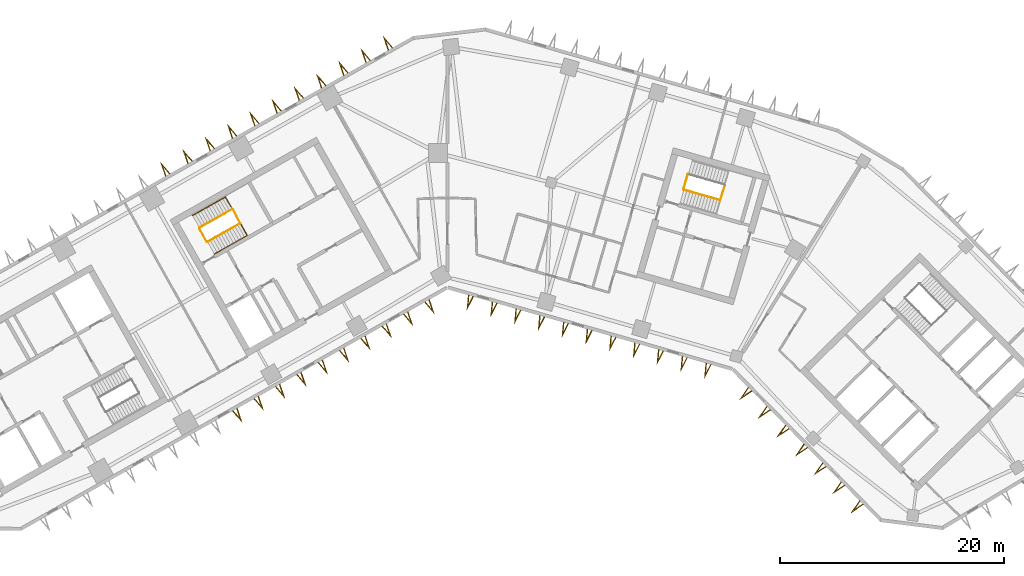
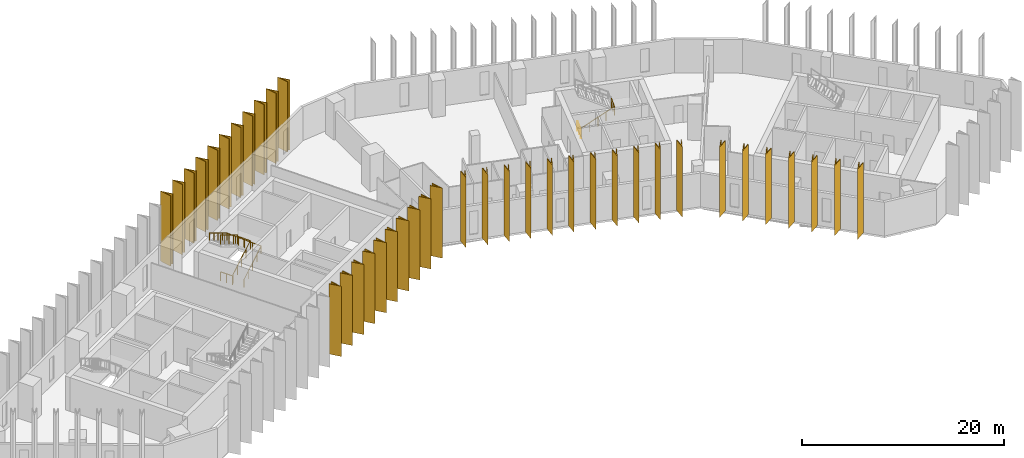
# One storey, part 10 of 11: 39 shading devices, 6 railings.
"""IFC4 building model written with IfcOpenShell, lengths in metres."""

from ifc_helpers import new_model, si_unit, direction, frame, origin, origin_2d, place, context, subcontext, project, spatial, polyline, circle, outline, extrude, material, type_object, element, save


model = new_model("IFC4")

# Units and contexts
model_context = context("Model", 3, precision=1e-05, world=origin(), true_north=direction((0.0, 1.0)))
body_context = subcontext(model_context, "Body", "Model", "MODEL_VIEW")
ifc_project = project(units=[si_unit("LENGTHUNIT", "METRE"), si_unit("AREAUNIT", "SQUARE_METRE"), si_unit("VOLUMEUNIT", "CUBIC_METRE"), si_unit("PLANEANGLEUNIT", "RADIAN"), si_unit("MASSUNIT", "GRAM", prefix="KILO")], contexts=[model_context])

# Site, building, storey
site_placement = place(None, origin())
site = spatial("IfcSite", under=ifc_project, at=site_placement, CompositionType="ELEMENT")
building_placement = place(site_placement, origin())
building = spatial("IfcBuilding", under=site, at=building_placement, Name="Binnacle Exchange Tower", CompositionType="ELEMENT")
storey_placement = place(building_placement, frame((0.0, 0.0, 105.89990234375)))
storey = spatial("IfcBuildingStorey", under=building, at=storey_placement, Name="L21", CompositionType="ELEMENT", Elevation=105.89990234375)

# Railings
ifc_material_1 = material(Name="Steel guard rail", Category="steel")
railing_type_1 = type_object("IfcRailingType", Name="STAIR GUARD 1100", PredefinedType="GUARDRAIL", material=ifc_material_1)
railing_1_placement = place(storey_placement, frame((-21.423828125, 52.07275390625, 0.16943359375)))
element("IfcRailing", 1, at=railing_1_placement, inside=storey, type_object=railing_type_1, Name="L21 STC1 stair guard 1", PredefinedType="GUARDRAIL", context=body_context, shape_type="SweptSolid", body=[
    extrude(circle(Radius=0.02392578125, at=origin_2d()), frame((0.0, 0.0, 1.076171875), z_axis=(0.744895141965, 0.421417011194, 0.517241655469), x_axis=(-0.49240197835, 0.870367905955, 0.0)), (0.0, 0.0, 1.0), 3.926025390625),
    extrude(circle(Radius=0.02392578125, at=origin_2d()), frame((2.924560546875, 1.654541015625, 3.10693359375), z_axis=(-0.461171632143, 0.887310952094, 0.0), x_axis=(-0.887310952094, -0.461171632143, 0.0)), (0.0, 0.0, 1.0), 1.40087890625),
    extrude(circle(Radius=0.02099609375, at=origin_2d()), origin(), (0.0, 0.0, 1.0), 1.052001953125),
    extrude(circle(Radius=0.02099609375, at=origin_2d()), frame((0.731201171875, 0.41357421875, 0.5078125)), (0.0, 0.0, 1.0), 1.052001953125),
    extrude(circle(Radius=0.02099609375, at=origin_2d()), frame((1.46240234375, 0.8271484375, 1.015380859375)), (0.0, 0.0, 1.0), 1.052001953125),
    extrude(circle(Radius=0.02099609375, at=origin_2d()), frame((2.193359375, 1.240966796875, 1.52294921875)), (0.0, 0.0, 1.0), 1.052001953125),
    extrude(circle(Radius=0.02099609375, at=origin_2d()), frame((2.924560546875, 1.654541015625, 2.03076171875)), (0.0, 0.0, 1.0), 1.052001953125),
    extrude(circle(Radius=0.02099609375, at=origin_2d()), frame((2.6015625, 2.27587890625, 2.03076171875)), (0.0, 0.0, 1.0), 1.052001953125),
    extrude(circle(Radius=0.02099609375, at=origin_2d()), frame((2.278564453125, 2.8974609375, 2.03076171875)), (0.0, 0.0, 1.0), 1.052001953125),
])
railing_2_placement = place(storey_placement, frame((-19.21337890625, 54.9892578125, 2.369384765625)))
element("IfcRailing", 2, at=railing_2_placement, inside=storey, type_object=railing_type_1, Name="L21 STC1 stair guard 2", PredefinedType="GUARDRAIL", context=body_context, shape_type="SweptSolid", body=[
    extrude(circle(Radius=0.02392578125, at=origin_2d()), frame((0.0, 0.0, 1.076171875), z_axis=(-0.744867460262, -0.421436531824, 0.517265614832), x_axis=(0.492433119026, -0.870350287693, 0.0)), (0.0, 0.0, 1.0), 3.926025390625),
    extrude(circle(Radius=0.02099609375, at=origin_2d()), origin(), (0.0, 0.0, 1.0), 1.052001953125),
    extrude(circle(Radius=0.02099609375, at=origin_2d()), frame((-0.73095703125, -0.41357421875, 0.5078125)), (0.0, 0.0, 1.0), 1.052001953125),
    extrude(circle(Radius=0.02099609375, at=origin_2d()), frame((-1.462158203125, -0.8271484375, 1.015380859375)), (0.0, 0.0, 1.0), 1.052001953125),
    extrude(circle(Radius=0.02099609375, at=origin_2d()), frame((-2.193359375, -1.240966796875, 1.52294921875)), (0.0, 0.0, 1.0), 1.052001953125),
    extrude(circle(Radius=0.02099609375, at=origin_2d()), frame((-2.92431640625, -1.654541015625, 2.03076171875)), (0.0, 0.0, 1.0), 1.052001953125),
])
railing_3_placement = place(storey_placement, frame((-21.491943359375, 52.091552734375, 0.0)))
element("IfcRailing", 3, at=railing_3_placement, inside=storey, type_object=railing_type_1, Name="L21 STC1 stair guard 3", PredefinedType="GUARDRAIL", context=body_context, shape_type="SweptSolid", body=[
    extrude(circle(Radius=0.02392578125, at=origin_2d()), frame((0.0, 0.0, 1.076171875), z_axis=(-0.49241474071, 0.870360685654, 0.0), x_axis=(-0.870360685654, -0.49241474071, 0.0)), (0.0, 0.0, 1.0), 1.35009765625),
    extrude(circle(Radius=0.02099609375, at=origin_2d()), origin(), (0.0, 0.0, 1.0), 1.052001953125),
    extrude(circle(Radius=0.02099609375, at=origin_2d()), frame((-0.33251953125, 0.58740234375, 0.0)), (0.0, 0.0, 1.0), 1.052001953125),
    extrude(circle(Radius=0.02099609375, at=origin_2d()), frame((-0.664794921875, 1.175048828125, 0.0)), (0.0, 0.0, 1.0), 1.052001953125),
])
railing_4_placement = place(storey_placement, frame((21.086669921875, 56.71044921875, 0.16943359375)))
element("IfcRailing", 4, at=railing_4_placement, inside=storey, type_object=railing_type_1, Name="L21 STD1 stair guard 1", PredefinedType="GUARDRAIL", context=body_context, shape_type="SweptSolid", body=[
    extrude(circle(Radius=0.02392578125, at=origin_2d()), frame((0.0, 0.0, 1.076171875), z_axis=(0.82266146106, -0.235934506256, 0.517264950721), x_axis=(0.27568068152, 0.961249271436, 0.0)), (0.0, 0.0, 1.0), 3.926025390625),
    extrude(circle(Radius=0.02392578125, at=origin_2d()), frame((3.229736328125, -0.92626953125, 3.10693359375), z_axis=(0.309842533299, 0.950787886208, 0.0), x_axis=(-0.950787886208, 0.309842533299, 0.0)), (0.0, 0.0, 1.0), 1.40087890625),
    extrude(circle(Radius=0.02099609375, at=origin_2d()), origin(), (0.0, 0.0, 1.0), 1.052001953125),
    extrude(circle(Radius=0.02099609375, at=origin_2d()), frame((0.807373046875, -0.2314453125, 0.5078125)), (0.0, 0.0, 1.0), 1.052001953125),
    extrude(circle(Radius=0.02099609375, at=origin_2d()), frame((1.61474609375, -0.463134765625, 1.015380859375)), (0.0, 0.0, 1.0), 1.052001953125),
    extrude(circle(Radius=0.02099609375, at=origin_2d()), frame((2.42236328125, -0.69482421875, 1.52294921875)), (0.0, 0.0, 1.0), 1.052001953125),
    extrude(circle(Radius=0.02099609375, at=origin_2d()), frame((3.229736328125, -0.92626953125, 2.03076171875)), (0.0, 0.0, 1.0), 1.052001953125),
    extrude(circle(Radius=0.02099609375, at=origin_2d()), frame((3.44677734375, -0.26025390625, 2.03076171875)), (0.0, 0.0, 1.0), 1.052001953125),
    extrude(circle(Radius=0.02099609375, at=origin_2d()), frame((3.663818359375, 0.40576171875, 2.03076171875)), (0.0, 0.0, 1.0), 1.052001953125),
])
railing_5_placement = place(storey_placement, frame((21.05224609375, 56.772216796875, 0.0)))
element("IfcRailing", 5, at=railing_5_placement, inside=storey, type_object=railing_type_1, Name="L21 STD1 stair guard 3", PredefinedType="GUARDRAIL", context=body_context, shape_type="SweptSolid", body=[
    extrude(circle(Radius=0.02392578125, at=origin_2d()), frame((0.0, 0.0, 1.076171875), z_axis=(0.275795817769, 0.961216243569, 0.0), x_axis=(-0.961216243569, 0.275795817769, 0.0)), (0.0, 0.0, 1.0), 1.349853515625),
    extrude(circle(Radius=0.02099609375, at=origin_2d()), origin(), (0.0, 0.0, 1.0), 1.052001953125),
    extrude(circle(Radius=0.02099609375, at=origin_2d()), frame((0.18603515625, 0.64892578125, 0.0)), (0.0, 0.0, 1.0), 1.052001953125),
    extrude(circle(Radius=0.02099609375, at=origin_2d()), frame((0.372314453125, 1.297607421875, 0.0)), (0.0, 0.0, 1.0), 1.052001953125),
])
ifc_material_2 = material(Name="Steel handrail", Category="steel")
railing_type_2 = type_object("IfcRailingType", Name="STAIR HANDRAIL 900", PredefinedType="HANDRAIL", material=ifc_material_2)
railing_6_placement = place(storey_placement, frame((-20.808349609375, 50.984619140625, 0.16943359375)))
element("IfcRailing", 6, at=railing_6_placement, inside=storey, type_object=railing_type_2, Name="L21 STC1 stair handrail 1", PredefinedType="HANDRAIL", context=body_context, shape_type="SweptSolid", body=[
    extrude(circle(Radius=0.02392578125, at=origin_2d()), frame((0.0, 0.0, 0.8759765625), z_axis=(0.744895141965, 0.421417011194, 0.517241655469), x_axis=(-0.49240197835, 0.870367905955, 0.0)), (0.0, 0.0, 1.0), 3.926025390625),
    extrude(circle(Radius=0.02392578125, at=origin_2d()), frame((2.924560546875, 1.654541015625, 2.90673828125), z_axis=(-0.491962556146, 0.869564041126, 0.04279277663), x_axis=(-0.870361318571, -0.492413622004, 0.0)), (0.0, 0.0, 1.0), 3.95361328125),
    extrude(circle(Radius=0.02392578125, at=origin_2d()), frame((0.9794921875, 5.092529296875, 3.07568359375), z_axis=(-0.744895141965, -0.421417011194, 0.517241655469), x_axis=(0.49240197835, -0.870367905955, 0.0)), (0.0, 0.0, 1.0), 3.926025390625),
    extrude(circle(Radius=0.02099609375, at=origin_2d()), origin(), (0.0, 0.0, 1.0), 0.851806640625),
    extrude(circle(Radius=0.02099609375, at=origin_2d()), frame((0.731201171875, 0.41357421875, 0.5078125)), (0.0, 0.0, 1.0), 0.851806640625),
    extrude(circle(Radius=0.02099609375, at=origin_2d()), frame((1.46240234375, 0.8271484375, 1.015380859375)), (0.0, 0.0, 1.0), 0.851806640625),
    extrude(circle(Radius=0.02099609375, at=origin_2d()), frame((2.193359375, 1.240966796875, 1.52294921875)), (0.0, 0.0, 1.0), 0.851806640625),
    extrude(circle(Radius=0.02099609375, at=origin_2d()), frame((2.924560546875, 1.654541015625, 2.03076171875)), (0.0, 0.0, 1.0), 0.851806640625),
    extrude(circle(Radius=0.02099609375, at=origin_2d()), frame((2.438232421875, 2.51416015625, 2.072998046875)), (0.0, 0.0, 1.0), 0.851806640625),
    extrude(circle(Radius=0.02099609375, at=origin_2d()), frame((1.9521484375, 3.37353515625, 2.115234375)), (0.0, 0.0, 1.0), 0.851806640625),
    extrude(circle(Radius=0.02099609375, at=origin_2d()), frame((1.4658203125, 4.23291015625, 2.15771484375)), (0.0, 0.0, 1.0), 0.851806640625),
    extrude(circle(Radius=0.02099609375, at=origin_2d()), frame((0.9794921875, 5.092529296875, 2.199951171875)), (0.0, 0.0, 1.0), 0.851806640625),
    extrude(circle(Radius=0.02099609375, at=origin_2d()), frame((0.248291015625, 4.678955078125, 2.70751953125)), (0.0, 0.0, 1.0), 0.851806640625),
    extrude(circle(Radius=0.02099609375, at=origin_2d()), frame((-0.48291015625, 4.26513671875, 3.21533203125)), (0.0, 0.0, 1.0), 0.851806640625),
    extrude(circle(Radius=0.02099609375, at=origin_2d()), frame((-1.2138671875, 3.8515625, 3.72314453125)), (0.0, 0.0, 1.0), 0.851806640625),
    extrude(circle(Radius=0.02099609375, at=origin_2d()), frame((-1.945068359375, 3.43798828125, 4.230712890625)), (0.0, 0.0, 1.0), 0.851806640625),
])

# Shading devices
ifc_material_3 = material(Name="Bronze aluminium cladding", Category="aluminium")
shading_device_type = type_object("IfcShadingDeviceType", Name="V FIN 1300 DEEP x 8480 HIGH", PredefinedType="USERDEFINED", material=ifc_material_3)
shading_device_1_placement = place(storey_placement, origin())
element("IfcShadingDevice", 7, at=shading_device_1_placement, inside=storey, type_object=shading_device_type, Name="V fin FN-F03-01 L21", ObjectType="FIN", PredefinedType="USERDEFINED", context=body_context, shape_type="SweptSolid", body=[
    extrude(outline(polyline([(-4.88916015625, 69.40625), (-5.746826171875, 70.41455078125), (-5.32421875, 69.159912109375), (-5.25341796875, 69.2001953125), (-5.5380859375, 70.0458984375), (-4.9599609375, 69.3662109375), (-4.88916015625, 69.40625)])), origin(), (0.0, 0.0, 1.0), 8.47998046875),
])
shading_device_2_placement = place(storey_placement, origin())
element("IfcShadingDevice", 8, at=shading_device_2_placement, inside=storey, type_object=shading_device_type, Name="V fin FN-F03-02 L21", ObjectType="FIN", PredefinedType="USERDEFINED", context=body_context, shape_type="SweptSolid", body=[
    extrude(outline(polyline([(-6.87548828125, 68.2822265625), (-7.7333984375, 69.290771484375), (-7.310791015625, 68.0361328125), (-7.239990234375, 68.076171875), (-7.524658203125, 68.922119140625), (-6.946533203125, 68.2421875), (-6.87548828125, 68.2822265625)])), origin(), (0.0, 0.0, 1.0), 8.47998046875),
])
shading_device_3_placement = place(storey_placement, origin())
element("IfcShadingDevice", 9, at=shading_device_3_placement, inside=storey, type_object=shading_device_type, Name="V fin FN-F03-03 L21", ObjectType="FIN", PredefinedType="USERDEFINED", context=body_context, shape_type="SweptSolid", body=[
    extrude(outline(polyline([(-8.862060546875, 67.158203125), (-9.719970703125, 68.166748046875), (-9.29736328125, 66.912109375), (-9.226318359375, 66.9521484375), (-9.51123046875, 67.798095703125), (-8.93310546875, 67.1181640625), (-8.862060546875, 67.158203125)])), origin(), (0.0, 0.0, 1.0), 8.47998046875),
])
shading_device_4_placement = place(storey_placement, origin())
element("IfcShadingDevice", 10, at=shading_device_4_placement, inside=storey, type_object=shading_device_type, Name="V fin FN-F03-04 L21", ObjectType="FIN", PredefinedType="USERDEFINED", context=body_context, shape_type="SweptSolid", body=[
    extrude(outline(polyline([(-10.8486328125, 66.034423828125), (-11.70654296875, 67.042724609375), (-11.283935546875, 65.7880859375), (-11.212890625, 65.828369140625), (-11.497802734375, 66.674072265625), (-10.919677734375, 65.994384765625), (-10.8486328125, 66.034423828125)])), origin(), (0.0, 0.0, 1.0), 8.47998046875),
])
shading_device_5_placement = place(storey_placement, origin())
element("IfcShadingDevice", 11, at=shading_device_5_placement, inside=storey, type_object=shading_device_type, Name="V fin FN-F03-05 L21", ObjectType="FIN", PredefinedType="USERDEFINED", context=body_context, shape_type="SweptSolid", body=[
    extrude(outline(polyline([(-12.835205078125, 64.910400390625), (-13.693115234375, 65.9189453125), (-13.2705078125, 64.664306640625), (-13.199462890625, 64.704345703125), (-13.484375, 65.55029296875), (-12.906005859375, 64.870361328125), (-12.835205078125, 64.910400390625)])), origin(), (0.0, 0.0, 1.0), 8.47998046875),
])
shading_device_6_placement = place(storey_placement, origin())
element("IfcShadingDevice", 12, at=shading_device_6_placement, inside=storey, type_object=shading_device_type, Name="V fin FN-F03-06 L21", ObjectType="FIN", PredefinedType="USERDEFINED", context=body_context, shape_type="SweptSolid", body=[
    extrude(outline(polyline([(-14.82177734375, 63.78662109375), (-15.6796875, 64.794921875), (-15.257080078125, 63.540283203125), (-15.18603515625, 63.580322265625), (-15.470947265625, 64.42626953125), (-14.892578125, 63.746337890625), (-14.82177734375, 63.78662109375)])), origin(), (0.0, 0.0, 1.0), 8.47998046875),
])
shading_device_7_placement = place(storey_placement, origin())
element("IfcShadingDevice", 13, at=shading_device_7_placement, inside=storey, type_object=shading_device_type, Name="V fin FN-F03-07 L21", ObjectType="FIN", PredefinedType="USERDEFINED", context=body_context, shape_type="SweptSolid", body=[
    extrude(outline(polyline([(-16.808349609375, 62.66259765625), (-17.666015625, 63.6708984375), (-17.243408203125, 62.41650390625), (-17.172607421875, 62.45654296875), (-17.45751953125, 63.30224609375), (-16.879150390625, 62.62255859375), (-16.808349609375, 62.66259765625)])), origin(), (0.0, 0.0, 1.0), 8.47998046875),
])
shading_device_8_placement = place(storey_placement, origin())
element("IfcShadingDevice", 14, at=shading_device_8_placement, inside=storey, type_object=shading_device_type, Name="V fin FN-F03-08 L21", ObjectType="FIN", PredefinedType="USERDEFINED", context=body_context, shape_type="SweptSolid", body=[
    extrude(outline(polyline([(-18.794921875, 61.53857421875), (-19.652587890625, 62.547119140625), (-19.22998046875, 61.29248046875), (-19.1591796875, 61.33251953125), (-19.444091796875, 62.17822265625), (-18.86572265625, 61.49853515625), (-18.794921875, 61.53857421875)])), origin(), (0.0, 0.0, 1.0), 8.47998046875),
])
shading_device_9_placement = place(storey_placement, origin())
element("IfcShadingDevice", 15, at=shading_device_9_placement, inside=storey, type_object=shading_device_type, Name="V fin FN-F03-09 L21", ObjectType="FIN", PredefinedType="USERDEFINED", context=body_context, shape_type="SweptSolid", body=[
    extrude(outline(polyline([(-20.781494140625, 60.414794921875), (-21.639404296875, 61.423095703125), (-21.216796875, 60.16845703125), (-21.145751953125, 60.20849609375), (-21.4306640625, 61.054443359375), (-20.852294921875, 60.37451171875), (-20.781494140625, 60.414794921875)])), origin(), (0.0, 0.0, 1.0), 8.47998046875),
])
shading_device_10_placement = place(storey_placement, origin())
element("IfcShadingDevice", 16, at=shading_device_10_placement, inside=storey, type_object=shading_device_type, Name="V fin FN-F03-10 L21", ObjectType="FIN", PredefinedType="USERDEFINED", context=body_context, shape_type="SweptSolid", body=[
    extrude(outline(polyline([(-22.76806640625, 59.290771484375), (-23.625732421875, 60.29931640625), (-23.203125, 59.044677734375), (-23.13232421875, 59.084716796875), (-23.4169921875, 59.930419921875), (-22.8388671875, 59.250732421875), (-22.76806640625, 59.290771484375)])), origin(), (0.0, 0.0, 1.0), 8.47998046875),
])
shading_device_11_placement = place(storey_placement, origin())
element("IfcShadingDevice", 17, at=shading_device_11_placement, inside=storey, type_object=shading_device_type, Name="V fin FN-F03-11 L21", ObjectType="FIN", PredefinedType="USERDEFINED", context=body_context, shape_type="SweptSolid", body=[
    extrude(outline(polyline([(-24.754638671875, 58.166748046875), (-25.6123046875, 59.17529296875), (-25.189697265625, 57.920654296875), (-25.118896484375, 57.960693359375), (-25.40380859375, 58.806396484375), (-24.825439453125, 58.126708984375), (-24.754638671875, 58.166748046875)])), origin(), (0.0, 0.0, 1.0), 8.47998046875),
])
shading_device_12_placement = place(storey_placement, origin())
element("IfcShadingDevice", 18, at=shading_device_12_placement, inside=storey, type_object=shading_device_type, Name="V fin FN-F07-10 L21", ObjectType="FIN", PredefinedType="USERDEFINED", context=body_context, shape_type="SweptSolid", body=[
    extrude(outline(polyline([(-19.192626953125, 36.968994140625), (-18.334716796875, 35.960693359375), (-18.75732421875, 37.215087890625), (-18.828369140625, 37.175048828125), (-18.54345703125, 36.329345703125), (-19.12158203125, 37.009033203125), (-19.192626953125, 36.968994140625)])), origin(), (0.0, 0.0, 1.0), 8.47998046875),
])
shading_device_13_placement = place(storey_placement, origin())
element("IfcShadingDevice", 19, at=shading_device_13_placement, inside=storey, type_object=shading_device_type, Name="V fin FN-F07-11 L21", ObjectType="FIN", PredefinedType="USERDEFINED", context=body_context, shape_type="SweptSolid", body=[
    extrude(outline(polyline([(-17.28759765625, 38.046875), (-16.429931640625, 37.038330078125), (-16.8525390625, 38.29296875), (-16.92333984375, 38.2529296875), (-16.638671875, 37.406982421875), (-17.216796875, 38.0869140625), (-17.28759765625, 38.046875)])), origin(), (0.0, 0.0, 1.0), 8.47998046875),
])
shading_device_14_placement = place(storey_placement, origin())
element("IfcShadingDevice", 20, at=shading_device_14_placement, inside=storey, type_object=shading_device_type, Name="V fin FN-F07-12 L21", ObjectType="FIN", PredefinedType="USERDEFINED", context=body_context, shape_type="SweptSolid", body=[
    extrude(outline(polyline([(-15.3828125, 39.12451171875), (-14.525146484375, 38.1162109375), (-14.94775390625, 39.37060546875), (-15.0185546875, 39.33056640625), (-14.73388671875, 38.48486328125), (-15.31201171875, 39.16455078125), (-15.3828125, 39.12451171875)])), origin(), (0.0, 0.0, 1.0), 8.47998046875),
])
shading_device_15_placement = place(storey_placement, origin())
element("IfcShadingDevice", 21, at=shading_device_15_placement, inside=storey, type_object=shading_device_type, Name="V fin FN-F07-13 L21", ObjectType="FIN", PredefinedType="USERDEFINED", context=body_context, shape_type="SweptSolid", body=[
    extrude(outline(polyline([(-13.477783203125, 40.2021484375), (-12.6201171875, 39.19384765625), (-13.042724609375, 40.448486328125), (-13.113525390625, 40.408203125), (-12.828857421875, 39.5625), (-13.406982421875, 40.2421875), (-13.477783203125, 40.2021484375)])), origin(), (0.0, 0.0, 1.0), 8.47998046875),
])
shading_device_16_placement = place(storey_placement, origin())
element("IfcShadingDevice", 22, at=shading_device_16_placement, inside=storey, type_object=shading_device_type, Name="V fin FN-F07-14 L21", ObjectType="FIN", PredefinedType="USERDEFINED", context=body_context, shape_type="SweptSolid", body=[
    extrude(outline(polyline([(-11.572998046875, 41.280029296875), (-10.715087890625, 40.271484375), (-11.1376953125, 41.526123046875), (-11.208740234375, 41.486083984375), (-10.923828125, 40.640380859375), (-11.502197265625, 41.320068359375), (-11.572998046875, 41.280029296875)])), origin(), (0.0, 0.0, 1.0), 8.47998046875),
])
shading_device_17_placement = place(storey_placement, origin())
element("IfcShadingDevice", 23, at=shading_device_17_placement, inside=storey, type_object=shading_device_type, Name="V fin FN-F07-15 L21", ObjectType="FIN", PredefinedType="USERDEFINED", context=body_context, shape_type="SweptSolid", body=[
    extrude(outline(polyline([(-9.668212890625, 42.357666015625), (-8.810302734375, 41.349365234375), (-9.23291015625, 42.60400390625), (-9.303955078125, 42.563720703125), (-9.01904296875, 41.718017578125), (-9.597412109375, 42.397705078125), (-9.668212890625, 42.357666015625)])), origin(), (0.0, 0.0, 1.0), 8.47998046875),
])
shading_device_18_placement = place(storey_placement, origin())
element("IfcShadingDevice", 24, at=shading_device_18_placement, inside=storey, type_object=shading_device_type, Name="V fin FN-F07-16 L21", ObjectType="FIN", PredefinedType="USERDEFINED", context=body_context, shape_type="SweptSolid", body=[
    extrude(outline(polyline([(-7.76318359375, 43.435302734375), (-6.905517578125, 42.427001953125), (-7.327880859375, 43.681640625), (-7.39892578125, 43.6416015625), (-7.114013671875, 42.795654296875), (-7.6923828125, 43.4755859375), (-7.76318359375, 43.435302734375)])), origin(), (0.0, 0.0, 1.0), 8.47998046875),
])
shading_device_19_placement = place(storey_placement, origin())
element("IfcShadingDevice", 25, at=shading_device_19_placement, inside=storey, type_object=shading_device_type, Name="V fin FN-F07-17 L21", ObjectType="FIN", PredefinedType="USERDEFINED", context=body_context, shape_type="SweptSolid", body=[
    extrude(outline(polyline([(-5.8583984375, 44.51318359375), (-5.00048828125, 43.5048828125), (-5.423095703125, 44.759521484375), (-5.494140625, 44.71923828125), (-5.209228515625, 43.87353515625), (-5.78759765625, 44.55322265625), (-5.8583984375, 44.51318359375)])), origin(), (0.0, 0.0, 1.0), 8.47998046875),
])
shading_device_20_placement = place(storey_placement, origin())
element("IfcShadingDevice", 26, at=shading_device_20_placement, inside=storey, type_object=shading_device_type, Name="V fin FN-F07-18 L21", ObjectType="FIN", PredefinedType="USERDEFINED", context=body_context, shape_type="SweptSolid", body=[
    extrude(outline(polyline([(-3.95361328125, 45.5908203125), (-3.095703125, 44.58251953125), (-3.518310546875, 45.837158203125), (-3.589111328125, 45.797119140625), (-3.304443359375, 44.951171875), (-3.882568359375, 45.631103515625), (-3.95361328125, 45.5908203125)])), origin(), (0.0, 0.0, 1.0), 8.47998046875),
])
shading_device_21_placement = place(storey_placement, origin())
element("IfcShadingDevice", 27, at=shading_device_21_placement, inside=storey, type_object=shading_device_type, Name="V fin FN-F07-19 L21", ObjectType="FIN", PredefinedType="USERDEFINED", context=body_context, shape_type="SweptSolid", body=[
    extrude(outline(polyline([(-2.048583984375, 46.668701171875), (-1.19091796875, 45.660400390625), (-1.61328125, 46.914794921875), (-1.684326171875, 46.874755859375), (-1.3994140625, 46.029052734375), (-1.977783203125, 46.708740234375), (-2.048583984375, 46.668701171875)])), origin(), (0.0, 0.0, 1.0), 8.47998046875),
])
shading_device_22_placement = place(storey_placement, origin())
element("IfcShadingDevice", 28, at=shading_device_22_placement, inside=storey, type_object=shading_device_type, Name="V fin FN-F08-01 L21", ObjectType="FIN", PredefinedType="USERDEFINED", context=body_context, shape_type="SweptSolid", body=[
    extrude(outline(polyline([(1.837890625, 47.31689453125), (1.719970703125, 45.998291015625), (2.318603515625, 47.17919921875), (2.240234375, 47.201416015625), (1.836669921875, 46.405517578125), (1.916259765625, 47.29443359375), (1.837890625, 47.31689453125)])), origin(), (0.0, 0.0, 1.0), 8.47998046875),
])
shading_device_23_placement = place(storey_placement, origin())
element("IfcShadingDevice", 29, at=shading_device_23_placement, inside=storey, type_object=shading_device_type, Name="V fin FN-F08-02 L21", ObjectType="FIN", PredefinedType="USERDEFINED", context=body_context, shape_type="SweptSolid", body=[
    extrude(outline(polyline([(3.957763671875, 46.708984375), (3.839599609375, 45.390625), (4.438232421875, 46.5712890625), (4.360107421875, 46.59375), (3.956298828125, 45.7978515625), (4.035888671875, 46.686767578125), (3.957763671875, 46.708984375)])), origin(), (0.0, 0.0, 1.0), 8.47998046875),
])
shading_device_24_placement = place(storey_placement, origin())
element("IfcShadingDevice", 30, at=shading_device_24_placement, inside=storey, type_object=shading_device_type, Name="V fin FN-F08-03 L21", ObjectType="FIN", PredefinedType="USERDEFINED", context=body_context, shape_type="SweptSolid", body=[
    extrude(outline(polyline([(6.077392578125, 46.101318359375), (5.95947265625, 44.78271484375), (6.55810546875, 45.96337890625), (6.479736328125, 45.98583984375), (6.076171875, 45.18994140625), (6.15576171875, 46.078857421875), (6.077392578125, 46.101318359375)])), origin(), (0.0, 0.0, 1.0), 8.47998046875),
])
shading_device_25_placement = place(storey_placement, origin())
element("IfcShadingDevice", 31, at=shading_device_25_placement, inside=storey, type_object=shading_device_type, Name="V fin FN-F08-04 L21", ObjectType="FIN", PredefinedType="USERDEFINED", context=body_context, shape_type="SweptSolid", body=[
    extrude(outline(polyline([(8.197021484375, 45.493408203125), (8.0791015625, 44.175048828125), (8.677734375, 45.355712890625), (8.599365234375, 45.378173828125), (8.19580078125, 44.582275390625), (8.275390625, 45.47119140625), (8.197021484375, 45.493408203125)])), origin(), (0.0, 0.0, 1.0), 8.47998046875),
])
shading_device_26_placement = place(storey_placement, origin())
element("IfcShadingDevice", 32, at=shading_device_26_placement, inside=storey, type_object=shading_device_type, Name="V fin FN-F08-05 L21", ObjectType="FIN", PredefinedType="USERDEFINED", context=body_context, shape_type="SweptSolid", body=[
    extrude(outline(polyline([(10.316650390625, 44.8857421875), (10.19873046875, 43.567138671875), (10.79736328125, 44.747802734375), (10.718994140625, 44.770263671875), (10.3154296875, 43.974365234375), (10.39501953125, 44.86328125), (10.316650390625, 44.8857421875)])), origin(), (0.0, 0.0, 1.0), 8.47998046875),
])
shading_device_27_placement = place(storey_placement, origin())
element("IfcShadingDevice", 33, at=shading_device_27_placement, inside=storey, type_object=shading_device_type, Name="V fin FN-F08-06 L21", ObjectType="FIN", PredefinedType="USERDEFINED", context=body_context, shape_type="SweptSolid", body=[
    extrude(outline(polyline([(12.436279296875, 44.27783203125), (12.318359375, 42.95947265625), (12.9169921875, 44.14013671875), (12.838623046875, 44.16259765625), (12.43505859375, 43.36669921875), (12.5146484375, 44.255615234375), (12.436279296875, 44.27783203125)])), origin(), (0.0, 0.0, 1.0), 8.47998046875),
])
shading_device_28_placement = place(storey_placement, origin())
element("IfcShadingDevice", 34, at=shading_device_28_placement, inside=storey, type_object=shading_device_type, Name="V fin FN-F08-07 L21", ObjectType="FIN", PredefinedType="USERDEFINED", context=body_context, shape_type="SweptSolid", body=[
    extrude(outline(polyline([(14.55615234375, 43.670166015625), (14.43798828125, 42.3515625), (15.03662109375, 43.5322265625), (14.95849609375, 43.5546875), (14.5546875, 42.7587890625), (14.634521484375, 43.647705078125), (14.55615234375, 43.670166015625)])), origin(), (0.0, 0.0, 1.0), 8.47998046875),
])
shading_device_29_placement = place(storey_placement, origin())
element("IfcShadingDevice", 35, at=shading_device_29_placement, inside=storey, type_object=shading_device_type, Name="V fin FN-F08-08 L21", ObjectType="FIN", PredefinedType="USERDEFINED", context=body_context, shape_type="SweptSolid", body=[
    extrude(outline(polyline([(16.67578125, 43.062255859375), (16.557861328125, 41.743896484375), (17.156494140625, 42.924560546875), (17.078125, 42.947021484375), (16.674560546875, 42.15087890625), (16.754150390625, 43.039794921875), (16.67578125, 43.062255859375)])), origin(), (0.0, 0.0, 1.0), 8.47998046875),
])
shading_device_30_placement = place(storey_placement, origin())
element("IfcShadingDevice", 36, at=shading_device_30_placement, inside=storey, type_object=shading_device_type, Name="V fin FN-F08-09 L21", ObjectType="FIN", PredefinedType="USERDEFINED", context=body_context, shape_type="SweptSolid", body=[
    extrude(outline(polyline([(18.79541015625, 42.454345703125), (18.677490234375, 41.135986328125), (19.276123046875, 42.316650390625), (19.19775390625, 42.339111328125), (18.794189453125, 41.543212890625), (18.873779296875, 42.431884765625), (18.79541015625, 42.454345703125)])), origin(), (0.0, 0.0, 1.0), 8.47998046875),
])
shading_device_31_placement = place(storey_placement, origin())
element("IfcShadingDevice", 37, at=shading_device_31_placement, inside=storey, type_object=shading_device_type, Name="V fin FN-F08-10 L21", ObjectType="FIN", PredefinedType="USERDEFINED", context=body_context, shape_type="SweptSolid", body=[
    extrude(outline(polyline([(20.9150390625, 41.8466796875), (20.797119140625, 40.528076171875), (21.395751953125, 41.708740234375), (21.3173828125, 41.731201171875), (20.913818359375, 40.935302734375), (20.993408203125, 41.82421875), (20.9150390625, 41.8466796875)])), origin(), (0.0, 0.0, 1.0), 8.47998046875),
])
shading_device_32_placement = place(storey_placement, origin())
element("IfcShadingDevice", 38, at=shading_device_32_placement, inside=storey, type_object=shading_device_type, Name="V fin FN-F08-11 L21", ObjectType="FIN", PredefinedType="USERDEFINED", context=body_context, shape_type="SweptSolid", body=[
    extrude(outline(polyline([(23.034912109375, 41.23876953125), (22.916748046875, 39.92041015625), (23.515380859375, 41.10107421875), (23.43701171875, 41.123291015625), (23.033447265625, 40.327392578125), (23.113037109375, 41.21630859375), (23.034912109375, 41.23876953125)])), origin(), (0.0, 0.0, 1.0), 8.47998046875),
])
shading_device_33_placement = place(storey_placement, origin())
element("IfcShadingDevice", 39, at=shading_device_33_placement, inside=storey, type_object=shading_device_type, Name="V fin FN-F09-01 L21", ObjectType="FIN", PredefinedType="USERDEFINED", context=body_context, shape_type="SweptSolid", body=[
    extrude(outline(polyline([(26.810791015625, 39.093505859375), (26.05859375, 38.00390625), (27.1611328125, 38.73681640625), (27.10400390625, 38.794921875), (26.36083984375, 38.30078125), (26.867919921875, 39.035400390625), (26.810791015625, 39.093505859375)])), origin(), (0.0, 0.0, 1.0), 8.47998046875),
])
shading_device_34_placement = place(storey_placement, origin())
element("IfcShadingDevice", 40, at=shading_device_34_placement, inside=storey, type_object=shading_device_type, Name="V fin FN-F09-02 L21", ObjectType="FIN", PredefinedType="USERDEFINED", context=body_context, shape_type="SweptSolid", body=[
    extrude(outline(polyline([(28.467529296875, 37.407470703125), (27.715576171875, 36.31787109375), (28.818115234375, 37.05078125), (28.760986328125, 37.10888671875), (28.017578125, 36.61474609375), (28.524658203125, 37.349365234375), (28.467529296875, 37.407470703125)])), origin(), (0.0, 0.0, 1.0), 8.47998046875),
])
shading_device_35_placement = place(storey_placement, origin())
element("IfcShadingDevice", 41, at=shading_device_35_placement, inside=storey, type_object=shading_device_type, Name="V fin FN-F09-03 L21", ObjectType="FIN", PredefinedType="USERDEFINED", context=body_context, shape_type="SweptSolid", body=[
    extrude(outline(polyline([(30.12451171875, 35.721435546875), (29.372314453125, 34.632080078125), (30.474853515625, 35.364990234375), (30.417724609375, 35.423095703125), (29.674560546875, 34.928955078125), (30.181396484375, 35.663330078125), (30.12451171875, 35.721435546875)])), origin(), (0.0, 0.0, 1.0), 8.47998046875),
])
shading_device_36_placement = place(storey_placement, origin())
element("IfcShadingDevice", 42, at=shading_device_36_placement, inside=storey, type_object=shading_device_type, Name="V fin FN-F09-04 L21", ObjectType="FIN", PredefinedType="USERDEFINED", context=body_context, shape_type="SweptSolid", body=[
    extrude(outline(polyline([(31.78125, 34.035400390625), (31.029296875, 32.94580078125), (32.131591796875, 33.6787109375), (32.07470703125, 33.73681640625), (31.331298828125, 33.242919921875), (31.83837890625, 33.977294921875), (31.78125, 34.035400390625)])), origin(), (0.0, 0.0, 1.0), 8.47998046875),
])
shading_device_37_placement = place(storey_placement, origin())
element("IfcShadingDevice", 43, at=shading_device_37_placement, inside=storey, type_object=shading_device_type, Name="V fin FN-F09-05 L21", ObjectType="FIN", PredefinedType="USERDEFINED", context=body_context, shape_type="SweptSolid", body=[
    extrude(outline(polyline([(33.43798828125, 32.349365234375), (32.68603515625, 31.260009765625), (33.78857421875, 31.992919921875), (33.7314453125, 32.05078125), (32.98828125, 31.556884765625), (33.4951171875, 32.291259765625), (33.43798828125, 32.349365234375)])), origin(), (0.0, 0.0, 1.0), 8.47998046875),
])
shading_device_38_placement = place(storey_placement, origin())
element("IfcShadingDevice", 44, at=shading_device_38_placement, inside=storey, type_object=shading_device_type, Name="V fin FN-F09-06 L21", ObjectType="FIN", PredefinedType="USERDEFINED", context=body_context, shape_type="SweptSolid", body=[
    extrude(outline(polyline([(35.094970703125, 30.663330078125), (34.343017578125, 29.573974609375), (35.4453125, 30.306884765625), (35.38818359375, 30.364990234375), (34.64501953125, 29.870849609375), (35.152099609375, 30.605224609375), (35.094970703125, 30.663330078125)])), origin(), (0.0, 0.0, 1.0), 8.47998046875),
])
shading_device_39_placement = place(storey_placement, origin())
element("IfcShadingDevice", 45, at=shading_device_39_placement, inside=storey, type_object=shading_device_type, Name="V fin FN-F09-07 L21", ObjectType="FIN", PredefinedType="USERDEFINED", context=body_context, shape_type="SweptSolid", body=[
    extrude(outline(polyline([(36.751708984375, 28.977294921875), (35.999755859375, 27.887939453125), (37.102294921875, 28.620849609375), (37.045166015625, 28.678955078125), (36.302001953125, 28.184814453125), (36.808837890625, 28.919189453125), (36.751708984375, 28.977294921875)])), origin(), (0.0, 0.0, 1.0), 8.47998046875),
])

save(model, "model.ifc")
